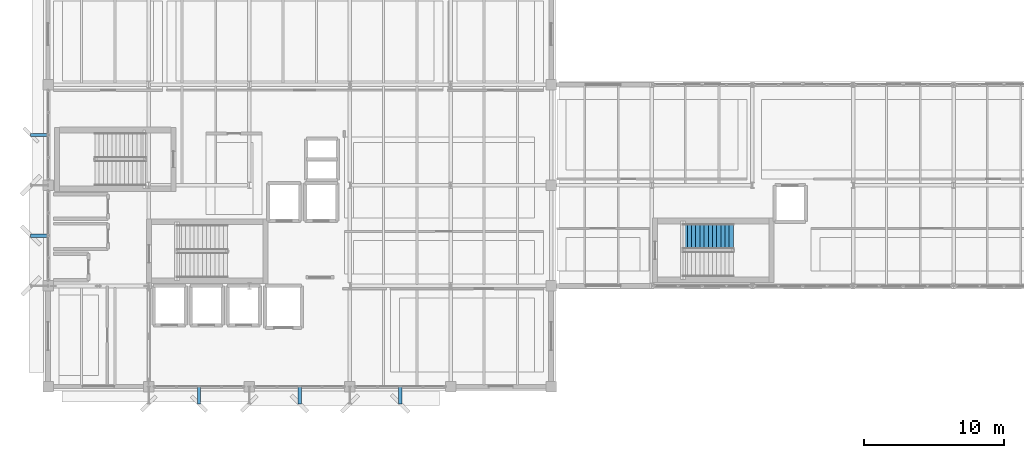
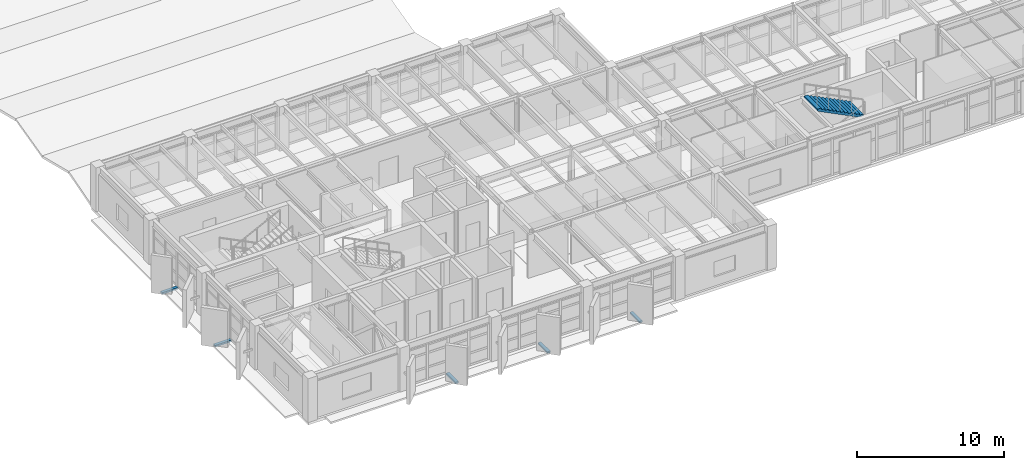
# One storey, part 34 of 48: 5 discrete accessories, 1 stair flight, 1 element without a shape of its own.
"""IFC4 building model written with IfcOpenShell, lengths in metres."""

import ifcopenshell
import ifcopenshell.guid

model = None  # the IFC model being written
_history = None  # IfcOwnerHistory: only IFC2X3 demands one
_inside = {}  # id of a spatial element -> (the spatial element, [elements in it])
_under = {}  # id of a project, library or spatial element -> (it, [spatial elements below it])
_declared = {}  # id of a project -> (the project, [libraries it declares])
_typed = {}  # id of a type object -> (the type object, [elements of that type])
_made_of = {}  # id of a material, layer set ... -> (it, [elements and type objects made of it])


def new_model(schema):
    """Start an empty IFC model of exactly this schema.

    Asked for "IFC4X3", IfcOpenShell would pick the latest addendum, in which some entities
    have other attributes; the version numbers below select the first issue.
    IFC2X3 requires an IfcOwnerHistory on every rooted entity: one is made here for all.
    """
    global model, _history
    if schema == "IFC4X3":
        model = ifcopenshell.file(schema_version=(4, 3, 0, 0))
    else:
        model = ifcopenshell.file(schema=schema)
    _inside.clear()
    _under.clear()
    _declared.clear()
    _typed.clear()
    _made_of.clear()
    _history = None
    if model.schema == "IFC2X3":
        org = make("IfcOrganization", Name="unknown")
        user = make(
            "IfcPersonAndOrganization",
            ThePerson=make("IfcPerson", FamilyName="unknown"),
            TheOrganization=org,
        )
        app = make(
            "IfcApplication",
            ApplicationDeveloper=org,
            Version="unknown",
            ApplicationFullName="unknown",
            ApplicationIdentifier="unknown",
        )
        _history = make(
            "IfcOwnerHistory",
            OwningUser=user,
            OwningApplication=app,
            ChangeAction="ADDED",
            CreationDate=0,
        )
    return model


def make(cls, **values):
    """One entity of the class cls with the attributes given. An attribute that is None is left unset."""
    return model.create_entity(
        cls, **{name: value for name, value in values.items() if value is not None}
    )


def rooted(cls, **values):
    """An entity with a GlobalId (a new one), such as an element, a storey or a relation."""
    return make(cls, GlobalId=ifcopenshell.guid.new(), OwnerHistory=_history, **values)


def si_unit(unit_type, name, prefix=None):
    """IfcSIUnit, for example si_unit("LENGTHUNIT", "METRE", prefix="MILLI")."""
    return make("IfcSIUnit", UnitType=unit_type, Prefix=prefix, Name=name)


def assignment(units):
    """IfcUnitAssignment: the units of a project."""
    return None if units is None else make("IfcUnitAssignment", Units=units)


def point(xyz):
    """IfcCartesianPoint."""
    return None if xyz is None else make("IfcCartesianPoint", Coordinates=xyz)


def direction(xyz):
    """IfcDirection."""
    return None if xyz is None else make("IfcDirection", DirectionRatios=xyz)


def frame(location, z_axis=None, x_axis=None):
    """IfcAxis2Placement3D, a coordinate frame: its origin and axes. An axis left out is left unset."""
    return make(
        "IfcAxis2Placement3D",
        Location=point(location),
        Axis=direction(z_axis),
        RefDirection=direction(x_axis),
    )


def frame_2d(location, x_axis=None):
    """IfcAxis2Placement2D, a coordinate frame in the plane: its origin and x axis."""
    return make(
        "IfcAxis2Placement2D", Location=point(location), RefDirection=direction(x_axis)
    )


def origin():
    """The frame at (0, 0, 0) with its axes left unset."""
    return frame((0.0, 0.0, 0.0))


def origin_2d():
    """The frame at (0, 0) in the plane with its x axis left unset."""
    return frame_2d((0.0, 0.0))


def place(relative_to, where):
    """IfcLocalPlacement: puts the frame where relative to a parent placement (None: the world)."""
    return make(
        "IfcLocalPlacement", PlacementRelTo=relative_to, RelativePlacement=where
    )


def context(
    kind, dimensions, precision=None, world=None, true_north=None, identifier=None
):
    """IfcGeometricRepresentationContext, for example the 3D "Model" context."""
    return make(
        "IfcGeometricRepresentationContext",
        ContextIdentifier=identifier,
        ContextType=kind,
        CoordinateSpaceDimension=dimensions,
        Precision=precision,
        WorldCoordinateSystem=world,
        TrueNorth=true_north,
    )


def subcontext(parent, identifier, kind, view, scale=None):
    """IfcGeometricRepresentationSubContext, for example "Body" below "Model"."""
    return make(
        "IfcGeometricRepresentationSubContext",
        ContextIdentifier=identifier,
        ContextType=kind,
        ParentContext=parent,
        TargetScale=scale,
        TargetView=view,
    )


def project(units=None, contexts=None):
    """IfcProject with its units and contexts."""
    return rooted(
        "IfcProject",
        Name="project",
        RepresentationContexts=contexts,
        UnitsInContext=assignment(units),
    )


def spatial(cls, under=None, at=None, **own):
    """A site, building, storey or space (cls), placed at a placement, below another one or the project."""
    s = rooted(cls, ObjectPlacement=at, **own)
    if under is not None:
        _under.setdefault(under.id(), (under, []))[1].append(s)
    return s


def polyline(points):
    """IfcPolyline through the points."""
    return make("IfcPolyline", Points=[point(p) for p in points])


def profile(cls, at=None, kind="AREA", **sizes):
    """A parametric profile (cls). Its sizes go by their IFC names, for example OverallWidth=200.0."""
    return make(cls, ProfileType=kind, Position=at, **sizes)


def rectangle(**sizes):
    """IfcRectangleProfileDef."""
    return profile("IfcRectangleProfileDef", **sizes)


def outline(outer, holes=None, kind="AREA"):
    """IfcArbitraryClosedProfileDef: a profile drawn as a closed curve; with holes, ...WithVoids."""
    if holes is None:
        return make("IfcArbitraryClosedProfileDef", ProfileType=kind, OuterCurve=outer)
    return make(
        "IfcArbitraryProfileDefWithVoids",
        ProfileType=kind,
        OuterCurve=outer,
        InnerCurves=holes,
    )


def extrude(swept, where, along, depth):
    """IfcExtrudedAreaSolid: the profile swept, set in the frame where, extruded along a direction by depth."""
    return make(
        "IfcExtrudedAreaSolid",
        SweptArea=swept,
        Position=where,
        ExtrudedDirection=direction(along),
        Depth=depth,
    )


def shape(context_of_items, identifier, shape_type, items):
    """IfcShapeRepresentation: the items that make up one representation, for example the "Body"."""
    return make(
        "IfcShapeRepresentation",
        ContextOfItems=context_of_items,
        RepresentationIdentifier=identifier,
        RepresentationType=shape_type,
        Items=items,
    )


def material(Name=None, Category=None):
    """IfcMaterial."""
    return make("IfcMaterial", Name=Name, Category=Category)


def layer(
    of_material, thickness, ventilated=None, Name=None, Category=None, Priority=None
):
    """IfcMaterialLayer: one layer of a wall or slab, of a material (None: an air gap)."""
    return make(
        "IfcMaterialLayer",
        Material=of_material,
        LayerThickness=thickness,
        IsVentilated=ventilated,
        Name=Name,
        Category=Category,
        Priority=Priority,
    )


def layer_set(layers, Name=None):
    """IfcMaterialLayerSet."""
    return make("IfcMaterialLayerSet", MaterialLayers=layers, LayerSetName=Name)


def made_of(thing, what):
    """Note that an element or type object is made of a material, layer set ...; save() writes the relation."""
    if what is not None:
        _made_of.setdefault(what.id(), (what, []))[1].append(thing)
    return thing


def type_object(cls, material=None, **own):
    """A type object (cls), such as IfcWallType, which elements share."""
    return made_of(rooted(cls, **own), material)


def element(
    cls,
    number,
    at=None,
    inside=None,
    cuts=None,
    type_object=None,
    material=None,
    context=None,
    identifier="Body",
    shape_type=None,
    held_by="IfcProductDefinitionShape",
    body=None,
    shapes=None,
    **own,
):
    """One element of the class cls, such as IfcWall. Its Tag is "e" and its number.

    at: its placement. inside: the storey or other place that contains it. cuts: it is an
    opening in that element (IfcRelVoidsElement). A single representation is given by context,
    identifier, shape_type and body (its items); several are given by shapes. held_by: the class
    of the entity that holds the representations. save() writes the other relations.
    """
    e = rooted(cls, Tag="e%d" % number, ObjectPlacement=at, **own)
    if body is not None:
        shapes = [shape(context, identifier, shape_type, body)]
    if shapes is not None:
        e.Representation = make(held_by, Representations=shapes)
    if inside is not None:
        _inside.setdefault(inside.id(), (inside, []))[1].append(e)
    if cuts is not None:
        rooted(
            "IfcRelVoidsElement", RelatingBuildingElement=cuts, RelatedOpeningElement=e
        )
    if type_object is not None:
        _typed.setdefault(type_object.id(), (type_object, []))[1].append(e)
    return made_of(e, material)


def aggregate(whole, parts):
    """IfcRelAggregates: a whole, such as a stair, and the parts it consists of."""
    return rooted("IfcRelAggregates", RelatingObject=whole, RelatedObjects=parts)


def save(model, path):
    """Write the relations noted so far, then the file.

    IfcRelAggregates (storeys below a building ...), IfcRelContainedInSpatialStructure (elements
    in a storey), IfcRelDefinesByType, IfcRelAssociatesMaterial and IfcRelDeclares: one each for
    every whole, place, type object, material and project.
    """
    for whole, parts in _under.values():
        aggregate(whole, parts)
    for where, things in _inside.values():
        rooted(
            "IfcRelContainedInSpatialStructure",
            RelatedElements=things,
            RelatingStructure=where,
        )
    for kind, things in _typed.values():
        rooted("IfcRelDefinesByType", RelatedObjects=things, RelatingType=kind)
    for what, things in _made_of.values():
        rooted("IfcRelAssociatesMaterial", RelatedObjects=things, RelatingMaterial=what)
    for by, libraries in _declared.values():
        rooted("IfcRelDeclares", RelatingContext=by, RelatedDefinitions=libraries)
    model.write(path)


model = new_model("IFC4")

# Units and contexts
model_context = context("Model", 3, precision=1e-05, world=origin(), true_north=direction((0.0, 1.0)))
body_context = subcontext(model_context, "Body", "Model", "MODEL_VIEW")
ifc_project = project(units=[si_unit("LENGTHUNIT", "METRE"), si_unit("AREAUNIT", "SQUARE_METRE"), si_unit("VOLUMEUNIT", "CUBIC_METRE"), si_unit("PLANEANGLEUNIT", "RADIAN"), si_unit("MASSUNIT", "GRAM", prefix="KILO")], contexts=[model_context])

# Site, building, storey
site_placement = place(None, origin())
site = spatial("IfcSite", under=ifc_project, at=site_placement, CompositionType="ELEMENT")
building_placement = place(site_placement, origin())
building = spatial("IfcBuilding", under=site, at=building_placement, Name="Kandorven Conservatory and Botanical Research Centre", CompositionType="ELEMENT")
storey_placement = place(building_placement, frame((0.0, 0.0, 13.199951171875)))
storey = spatial("IfcBuildingStorey", under=building, at=storey_placement, Name="L03", CompositionType="ELEMENT", Elevation=13.199951171875)

# Stair, stair flight
ifc_material_1 = material(Name="Concrete C32/40 (M40)", Category="concrete")
stair_type = type_object("IfcStairType", Name="Stair_1820", PredefinedType="HALF_TURN_STAIR", material=ifc_material_1)
stair_placement = place(storey_placement, origin())
stair = element("IfcStair", 1, at=stair_placement, inside=storey, type_object=stair_type, Name="L03 Visitor Wing Stair ST-V3A", PredefinedType="HALF_TURN_STAIR")
ifc_material_2 = material(Name="Concrete C32/40 (M40)", Category="concrete")
ifc_layer = layer(ifc_material_2, 0.14990234375)
ifc_layer_set = layer_set([ifc_layer], Name="Concrete C32/40 (M40)")
stair_flight_type = type_object("IfcStairFlightType", Name="Flight_1820", PredefinedType="STRAIGHT", material=ifc_layer_set)
stair_flight_placement = place(storey_placement, frame((55.03955078125, 16.72998046875, 1.949951171875), z_axis=(0.0, 0.0, 1.0), x_axis=(-1.0, 0.0, 0.0)))
stair_flight = element("IfcStairFlight", 2, at=stair_flight_placement, type_object=stair_flight_type, Name="ST-V3A flight 2", NumberOfRisers=13, NumberOfTreads=12, PredefinedType="STRAIGHT", RiserHeight=0.15, TreadLength=0.3, context=body_context, shape_type="SweptSolid", body=[
    extrude(outline(polyline([(0.0, 0.0), (0.0, 0.14990234375), (0.300048828125, 0.14990234375), (0.300048828125, 0.300048828125), (0.60009765625, 0.300048828125), (0.60009765625, 0.449951171875), (0.89990234375, 0.449951171875), (0.89990234375, 0.60009765625), (1.199951171875, 0.60009765625), (1.199951171875, 0.75), (1.5, 0.75), (1.5, 0.89990234375), (1.800048828125, 0.89990234375), (1.800048828125, 1.050048828125), (2.10009765625, 1.050048828125), (2.10009765625, 1.199951171875), (2.39990234375, 1.199951171875), (2.39990234375, 1.35009765625), (2.699951171875, 1.35009765625), (2.699951171875, 1.5), (3.0, 1.5), (3.0, 1.64990234375), (3.300048828125, 1.64990234375), (3.300048828125, 1.800048828125), (3.60009765625, 1.800048828125), (3.60009765625, 1.949951171875), (3.60009765625, 1.63232421875), (0.335205078125, 0.0), (0.0, 0.0)])), frame((0.0, 0.91015625, 0.0), z_axis=(0.0, -1.0, 0.0), x_axis=(1.0, 0.0, 0.0)), (0.0, 0.0, 1.0), 1.820068359375),
])
aggregate(stair, [stair_flight])

# Discrete accessories
ifc_material_3 = material(Name="Steel S355 (IS 2062 E350)", Category="steel")
discrete_accessory_type = type_object("IfcDiscreteAccessoryType", Name="JaliBracket", PredefinedType="BRACKET", material=ifc_material_3)
for number, where, z_axis, x_axis, name in (
    (3, (16.800048828125, 5.389892578125, -0.1298828125), (0.0, 0.0, 1.0), (1.0, 0.0, 0.0), "Stainless steel fin support bracket BRK-01 #22"),
    (4, (24.0, 5.389892578125, -0.1298828125), (0.0, 0.0, 1.0), (1.0, 0.0, 0.0), "Stainless steel fin support bracket BRK-01 #24"),
    (5, (31.199951171875, 5.389892578125, -0.1298828125), (0.0, 0.0, 1.0), (1.0, 0.0, 0.0), "Stainless steel fin support bracket BRK-01 #26"),
):
    element("IfcDiscreteAccessory", number, at=place(storey_placement, frame(where, z_axis=z_axis, x_axis=x_axis)), inside=storey, type_object=discrete_accessory_type, Name=name, PredefinedType="BRACKET", context=body_context, shape_type="SweptSolid", body=[
        extrude(rectangle(XDim=0.239990234375, YDim=1.280029296875, at=origin_2d()), origin(), (0.0, 0.0, 1.0), 0.139892578125),
    ])
for number, where, z_axis, x_axis, name in (
    (6, (5.389892578125, 16.800048828125, -0.1298828125), (0.0, 0.0, 1.0), (1.0, 0.0, 0.0), "Stainless steel fin support bracket BRK-01 #28"),
    (7, (5.389892578125, 24.0, -0.1298828125), (0.0, 0.0, 1.0), (1.0, 0.0, 0.0), "Stainless steel fin support bracket BRK-01 #30"),
):
    element("IfcDiscreteAccessory", number, at=place(storey_placement, frame(where, z_axis=z_axis, x_axis=x_axis)), inside=storey, type_object=discrete_accessory_type, Name=name, PredefinedType="BRACKET", context=body_context, shape_type="SweptSolid", body=[
        extrude(rectangle(XDim=1.280029296875, YDim=0.239990234375, at=origin_2d()), origin(), (0.0, 0.0, 1.0), 0.139892578125),
    ])

save(model, "model.ifc")
